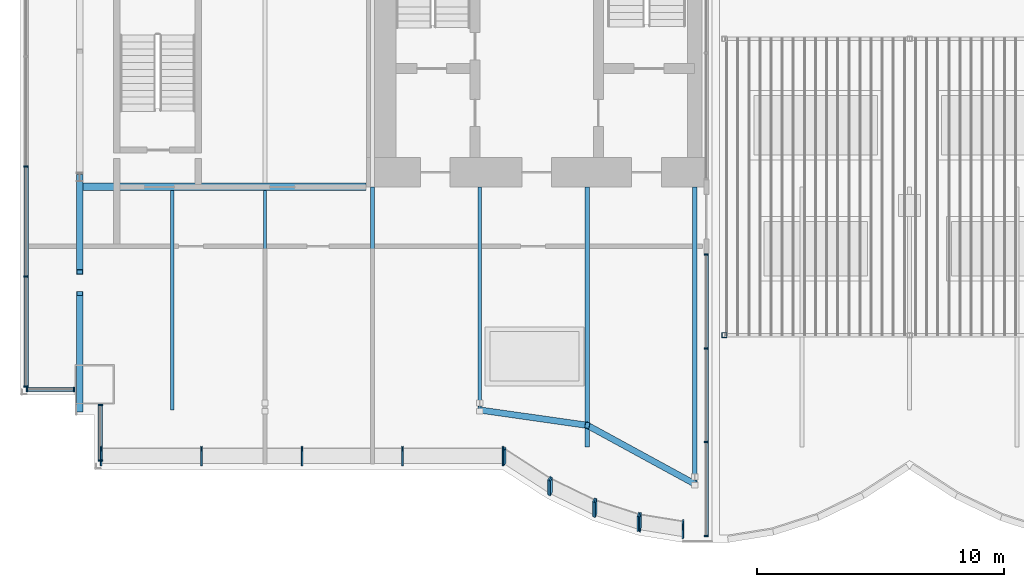
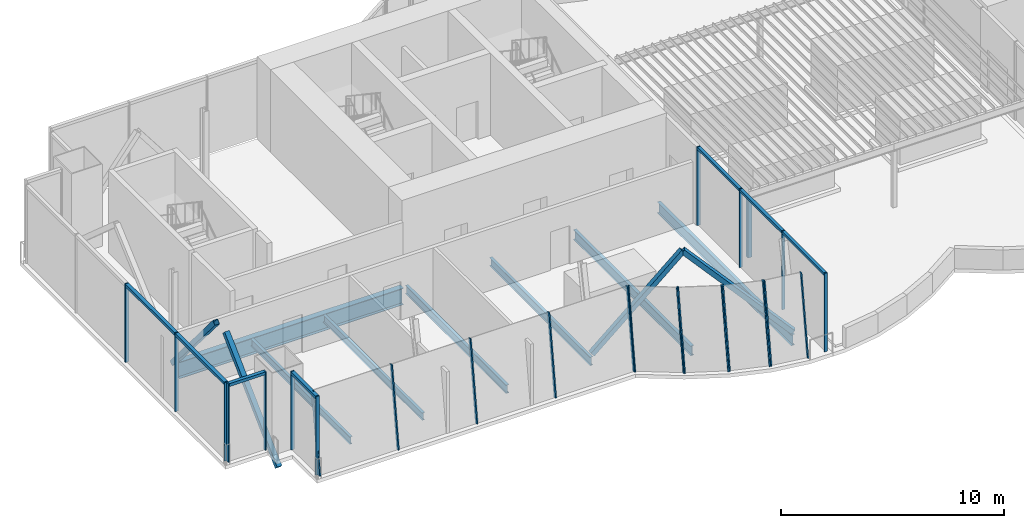
# One storey, part 3 of 18: 36 members, 7 beams, 10 elements without a shape of their own.
"""IFC4 building model written with IfcOpenShell, lengths in metres."""

from ifc_helpers import new_model, si_unit, direction, frame, origin, origin_2d, place, context, subcontext, project, spatial, rectangle, hollow_rectangle, i_section, extrude, material, material_profile, profile_set, type_object, element, aggregate, save


model = new_model("IFC4")

# Units and contexts
model_context = context("Model", 3, precision=1e-05, world=origin(), true_north=direction((0.0, 1.0)))
body_context = subcontext(model_context, "Body", "Model", "MODEL_VIEW")
ifc_project = project(units=[si_unit("LENGTHUNIT", "METRE"), si_unit("AREAUNIT", "SQUARE_METRE"), si_unit("VOLUMEUNIT", "CUBIC_METRE"), si_unit("PLANEANGLEUNIT", "RADIAN"), si_unit("MASSUNIT", "GRAM", prefix="KILO")], contexts=[model_context])

# Site, building, storey
site_placement = place(None, origin())
site = spatial("IfcSite", under=ifc_project, at=site_placement, CompositionType="ELEMENT")
building_placement = place(site_placement, origin())
building = spatial("IfcBuilding", under=site, at=building_placement, Name="Bicima Exchange Tower", CompositionType="ELEMENT")
storey_placement = place(building_placement, frame((0.0, 0.0, 347.89990234375)))
storey = spatial("IfcBuildingStorey", under=building, at=storey_placement, Name="L78", CompositionType="ELEMENT", Elevation=347.89990234375)

# Beam
ifc_material_1 = material(Name="Steel ASTM A992 Gr 50", Category="steel")
ifc_material_profile_1 = material_profile(ifc_material_1, i_section(OverallWidth=0.3046875, OverallDepth=0.911865234375, WebThickness=0.015869140625, FlangeThickness=0.02392578125, at=origin_2d()))
ifc_profile_set_1 = profile_set([ifc_material_profile_1], Name="Steel ASTM A992 Gr 50")
beam_type_1 = type_object("IfcBeamType", Name="Core-line girder W36x150", PredefinedType="BEAM", material=ifc_profile_set_1)
beam_1_placement = place(storey_placement, frame((-22.0, -13.0, -0.65576171875), z_axis=(-1.0, 0.0, 0.0), x_axis=(0.0, -1.0, 0.0)))
element("IfcBeam", 1, at=beam_1_placement, inside=storey, type_object=beam_type_1, Name="Core-line girder", PredefinedType="BEAM", context=body_context, shape_type="SweptSolid", body=[
    extrude(i_section(OverallWidth=0.3046875, OverallDepth=0.911865234375, WebThickness=0.015869140625, FlangeThickness=0.02392578125, at=origin_2d()), origin(), (0.0, 0.0, 1.0), 11.60009765625),
])

# Curtain wall, members
ifc_material_2 = material(Name="Anodised bronze aluminium", Category="aluminium")
curtain_wall_type_1 = type_object("IfcCurtainWallType", Name="Crown glass wall", PredefinedType="NOTDEFINED", material=ifc_material_2)
curtain_wall_1_placement = place(storey_placement, origin())
curtain_wall_1 = element("IfcCurtainWall", 2, at=curtain_wall_1_placement, inside=storey, type_object=curtain_wall_type_1, Name="Crown glass wall L78 run 11", PredefinedType="NOTDEFINED")
ifc_material_profile_2 = material_profile(ifc_material_2, rectangle(XDim=0.179931640625, YDim=0.06005859375, at=origin_2d()))
ifc_profile_set_2 = profile_set([ifc_material_profile_2], Name="Anodised bronze aluminium")
member_type_1 = type_object("IfcMemberType", Name="Crown glass wall mullion 60 x 180", PredefinedType="MULLION", material=ifc_profile_set_2)
member_1_placement = place(storey_placement, frame((-35.77001953125, -12.1708984375, 0.0), z_axis=(0.0, 0.0, 1.0), x_axis=(1.0, 0.0, 0.0)))
member_1 = element("IfcMember", 3, at=member_1_placement, type_object=member_type_1, Name="Crown glass wall mullion 3", PredefinedType="MULLION", context=body_context, shape_type="SweptSolid", body=[
    extrude(rectangle(XDim=0.179931640625, YDim=0.06005859375, at=origin_2d()), origin(), (0.0, 0.0, 1.0), 4.300048828125),
])
member_2_placement = place(storey_placement, frame((-35.77001953125, -16.62646484375, 0.0), z_axis=(0.0, 0.0, 1.0), x_axis=(1.0, 0.0, 0.0)))
member_2 = element("IfcMember", 4, at=member_2_placement, type_object=member_type_1, Name="Crown glass wall mullion 4", PredefinedType="MULLION", context=body_context, shape_type="SweptSolid", body=[
    extrude(rectangle(XDim=0.179931640625, YDim=0.06005859375, at=origin_2d()), origin(), (0.0, 0.0, 1.0), 4.300048828125),
])
member_3_placement = place(storey_placement, frame((-35.77001953125, -21.08203125, 0.0), z_axis=(0.0, 0.0, 1.0), x_axis=(1.0, 0.0, 0.0)))
member_3 = element("IfcMember", 5, at=member_3_placement, type_object=member_type_1, Name="Crown glass wall mullion 5", PredefinedType="MULLION", context=body_context, shape_type="SweptSolid", body=[
    extrude(rectangle(XDim=0.179931640625, YDim=0.06005859375, at=origin_2d()), origin(), (0.0, 0.0, 1.0), 4.300048828125),
])

curtain_wall_2_placement = place(storey_placement, origin())
curtain_wall_2 = element("IfcCurtainWall", 6, at=curtain_wall_2_placement, inside=storey, type_object=curtain_wall_type_1, Name="Crown glass wall L78 run 12", PredefinedType="NOTDEFINED")
member_4_placement = place(storey_placement, frame((-35.739990234375, -21.201904296875, 0.0), z_axis=(0.0, 0.0, 1.0), x_axis=(0.0, 1.0, 0.0)))
member_4 = element("IfcMember", 7, at=member_4_placement, type_object=member_type_1, Name="Crown glass wall mullion 1", PredefinedType="MULLION", context=body_context, shape_type="SweptSolid", body=[
    extrude(rectangle(XDim=0.179931640625, YDim=0.06005859375, at=origin_2d()), origin(), (0.0, 0.0, 1.0), 4.300048828125),
])
member_5_placement = place(storey_placement, frame((-33.830078125, -21.201904296875, 0.0), z_axis=(0.0, 0.0, 1.0), x_axis=(0.0, 1.0, 0.0)))
member_5 = element("IfcMember", 8, at=member_5_placement, type_object=member_type_1, Name="Crown glass wall mullion 2", PredefinedType="MULLION", context=body_context, shape_type="SweptSolid", body=[
    extrude(rectangle(XDim=0.179931640625, YDim=0.06005859375, at=origin_2d()), origin(), (0.0, 0.0, 1.0), 4.300048828125),
])

curtain_wall_3_placement = place(storey_placement, origin())
curtain_wall_3 = element("IfcCurtainWall", 9, at=curtain_wall_3_placement, inside=storey, type_object=curtain_wall_type_1, Name="Crown glass wall L78 run 13", PredefinedType="NOTDEFINED")
member_6_placement = place(storey_placement, frame((-32.77001953125, -21.82373046875, 0.0), z_axis=(0.0, 0.0, 1.0), x_axis=(1.0, 0.0, 0.0)))
member_6 = element("IfcMember", 10, at=member_6_placement, type_object=member_type_1, Name="Crown glass wall mullion 1", PredefinedType="MULLION", context=body_context, shape_type="SweptSolid", body=[
    extrude(rectangle(XDim=0.179931640625, YDim=0.06005859375, at=origin_2d()), origin(), (0.0, 0.0, 1.0), 4.300048828125),
])
member_7_placement = place(storey_placement, frame((-32.77001953125, -24.08203125, 0.0), z_axis=(0.0, 0.0, 1.0), x_axis=(1.0, 0.0, 0.0)))
member_7 = element("IfcMember", 11, at=member_7_placement, type_object=member_type_1, Name="Crown glass wall mullion 2", PredefinedType="MULLION", context=body_context, shape_type="SweptSolid", body=[
    extrude(rectangle(XDim=0.179931640625, YDim=0.06005859375, at=origin_2d()), origin(), (0.0, 0.0, 1.0), 4.300048828125),
])

curtain_wall_4_placement = place(storey_placement, origin())
curtain_wall_4 = element("IfcCurtainWall", 12, at=curtain_wall_4_placement, inside=storey, type_object=curtain_wall_type_1, Name="Crown tilted glass L78 14.1", PredefinedType="NOTDEFINED")
member_8_placement = place(storey_placement, frame((-32.739990234375, -24.201904296875, 0.0), z_axis=(0.0, 0.139154039626, 0.99027074745), x_axis=(0.0, -0.99027074745, 0.139154039626)))
member_8 = element("IfcMember", 13, at=member_8_placement, type_object=member_type_1, Name="Crown tilted mullion 1", PredefinedType="MULLION", context=body_context, shape_type="SweptSolid", body=[
    extrude(rectangle(XDim=0.179931640625, YDim=0.06005859375, at=origin_2d()), origin(), (0.0, 0.0, 1.0), 4.34228515625),
])
member_9_placement = place(storey_placement, frame((-28.67041015625, -24.201904296875, 0.0), z_axis=(0.0, 0.139154039626, 0.99027074745), x_axis=(0.0, -0.99027074745, 0.139154039626)))
member_9 = element("IfcMember", 14, at=member_9_placement, type_object=member_type_1, Name="Crown tilted mullion 2", PredefinedType="MULLION", context=body_context, shape_type="SweptSolid", body=[
    extrude(rectangle(XDim=0.179931640625, YDim=0.06005859375, at=origin_2d()), origin(), (0.0, 0.0, 1.0), 4.34228515625),
])
member_10_placement = place(storey_placement, frame((-24.60107421875, -24.201904296875, 0.0), z_axis=(0.0, 0.139154039626, 0.99027074745), x_axis=(0.0, -0.99027074745, 0.139154039626)))
member_10 = element("IfcMember", 15, at=member_10_placement, type_object=member_type_1, Name="Crown tilted mullion 3", PredefinedType="MULLION", context=body_context, shape_type="SweptSolid", body=[
    extrude(rectangle(XDim=0.179931640625, YDim=0.06005859375, at=origin_2d()), origin(), (0.0, 0.0, 1.0), 4.34228515625),
])
member_11_placement = place(storey_placement, frame((-20.531494140625, -24.201904296875, 0.0), z_axis=(0.0, 0.139154039626, 0.99027074745), x_axis=(0.0, -0.99027074745, 0.139154039626)))
member_11 = element("IfcMember", 16, at=member_11_placement, type_object=member_type_1, Name="Crown tilted mullion 4", PredefinedType="MULLION", context=body_context, shape_type="SweptSolid", body=[
    extrude(rectangle(XDim=0.179931640625, YDim=0.06005859375, at=origin_2d()), origin(), (0.0, 0.0, 1.0), 4.34228515625),
])
member_12_placement = place(storey_placement, frame((-16.462158203125, -24.201904296875, 0.0), z_axis=(0.0, 0.139154039626, 0.99027074745), x_axis=(0.0, -0.99027074745, 0.139154039626)))
member_12 = element("IfcMember", 17, at=member_12_placement, type_object=member_type_1, Name="Crown tilted mullion 5", PredefinedType="MULLION", context=body_context, shape_type="SweptSolid", body=[
    extrude(rectangle(XDim=0.179931640625, YDim=0.06005859375, at=origin_2d()), origin(), (0.0, 0.0, 1.0), 4.34228515625),
])
aggregate(curtain_wall_4, [member_8, member_9, member_10, member_11, member_12])

curtain_wall_5_placement = place(storey_placement, origin())
curtain_wall_5 = element("IfcCurtainWall", 18, at=curtain_wall_5_placement, inside=storey, type_object=curtain_wall_type_1, Name="Crown tilted glass L78 15.1", PredefinedType="NOTDEFINED")
member_13_placement = place(storey_placement, frame((-16.406982421875, -24.21826171875, 0.0), z_axis=(0.0, 0.139154039626, 0.99027074745), x_axis=(-0.542910648791, -0.831619932848, 0.116860235837)))
member_13 = element("IfcMember", 19, at=member_13_placement, type_object=member_type_1, Name="Crown tilted mullion 1", PredefinedType="MULLION", context=body_context, shape_type="SweptSolid", body=[
    extrude(rectangle(XDim=0.179931640625, YDim=0.06005859375, at=origin_2d()), origin(), (0.0, 0.0, 1.0), 4.34228515625),
])
member_14_placement = place(storey_placement, frame((-14.578857421875, -25.400146484375, 0.0), z_axis=(0.0, 0.139154039626, 0.99027074745), x_axis=(-0.542910648791, -0.831619932848, 0.116860235837)))
member_14 = element("IfcMember", 20, at=member_14_placement, type_object=member_type_1, Name="Crown tilted mullion 2", PredefinedType="MULLION", context=body_context, shape_type="SweptSolid", body=[
    extrude(rectangle(XDim=0.179931640625, YDim=0.06005859375, at=origin_2d()), origin(), (0.0, 0.0, 1.0), 4.34228515625),
])
aggregate(curtain_wall_5, [member_13, member_14])

curtain_wall_6_placement = place(storey_placement, origin())
curtain_wall_6 = element("IfcCurtainWall", 21, at=curtain_wall_6_placement, inside=storey, type_object=curtain_wall_type_1, Name="Crown tilted glass L78 16.1", PredefinedType="NOTDEFINED")
member_15_placement = place(storey_placement, frame((-14.526611328125, -25.429443359375, 0.0), z_axis=(0.0, 0.139154039626, 0.99027074745), x_axis=(-0.436264762204, -0.891063786867, 0.125213357889)))
member_15 = element("IfcMember", 22, at=member_15_placement, type_object=member_type_1, Name="Crown tilted mullion 1", PredefinedType="MULLION", context=body_context, shape_type="SweptSolid", body=[
    extrude(rectangle(XDim=0.179931640625, YDim=0.06005859375, at=origin_2d()), origin(), (0.0, 0.0, 1.0), 4.34228515625),
])
member_16_placement = place(storey_placement, frame((-12.7744140625, -26.279052734375, 0.0), z_axis=(0.0, 0.139154039626, 0.99027074745), x_axis=(-0.436264762204, -0.891063786867, 0.125213357889)))
member_16 = element("IfcMember", 23, at=member_16_placement, type_object=member_type_1, Name="Crown tilted mullion 2", PredefinedType="MULLION", context=body_context, shape_type="SweptSolid", body=[
    extrude(rectangle(XDim=0.179931640625, YDim=0.06005859375, at=origin_2d()), origin(), (0.0, 0.0, 1.0), 4.34228515625),
])
aggregate(curtain_wall_6, [member_15, member_16])

curtain_wall_7_placement = place(storey_placement, origin())
curtain_wall_7 = element("IfcCurtainWall", 24, at=curtain_wall_7_placement, inside=storey, type_object=curtain_wall_type_1, Name="Crown tilted glass L78 17.1", PredefinedType="NOTDEFINED")
member_17_placement = place(storey_placement, frame((-12.71875, -26.301513671875, 0.0), z_axis=(0.0, 0.139209174124, 0.990262998319), x_axis=(-0.307572519808, -0.942259645339, 0.132460959624)))
member_17 = element("IfcMember", 25, at=member_17_placement, type_object=member_type_1, Name="Crown tilted mullion 1", PredefinedType="MULLION", context=body_context, shape_type="SweptSolid", body=[
    extrude(rectangle(XDim=0.179931640625, YDim=0.06005859375, at=origin_2d()), origin(), (0.0, 0.0, 1.0), 4.34228515625),
])
member_18_placement = place(storey_placement, frame((-10.974609375, -26.865234375, 0.0), z_axis=(0.0, 0.139154039626, 0.99027074745), x_axis=(-0.307572519808, -0.942267018828, 0.132408497791)))
member_18 = element("IfcMember", 26, at=member_18_placement, type_object=member_type_1, Name="Crown tilted mullion 2", PredefinedType="MULLION", context=body_context, shape_type="SweptSolid", body=[
    extrude(rectangle(XDim=0.179931640625, YDim=0.06005859375, at=origin_2d()), origin(), (0.0, 0.0, 1.0), 4.34228515625),
])
aggregate(curtain_wall_7, [member_17, member_18])

curtain_wall_8_placement = place(storey_placement, origin())
curtain_wall_8 = element("IfcCurtainWall", 27, at=curtain_wall_8_placement, inside=storey, type_object=curtain_wall_type_1, Name="Crown tilted glass L78 18.1", PredefinedType="NOTDEFINED")
member_19_placement = place(storey_placement, frame((-10.91650390625, -26.879150390625, 0.0), z_axis=(0.0, 0.139154039626, 0.99027074745), x_axis=(-0.159550386184, -0.977585167601, 0.137371446648)))
member_19 = element("IfcMember", 28, at=member_19_placement, type_object=member_type_1, Name="Crown tilted mullion 1", PredefinedType="MULLION", context=body_context, shape_type="SweptSolid", body=[
    extrude(rectangle(XDim=0.179931640625, YDim=0.06005859375, at=origin_2d()), origin(), (0.0, 0.0, 1.0), 4.34228515625),
])
member_20_placement = place(storey_placement, frame((-9.177734375, -27.16015625, 0.0), z_axis=(0.0, 0.139154039626, 0.99027074745), x_axis=(-0.159550386184, -0.977585167601, 0.137371446648)))
member_20 = element("IfcMember", 29, at=member_20_placement, type_object=member_type_1, Name="Crown tilted mullion 2", PredefinedType="MULLION", context=body_context, shape_type="SweptSolid", body=[
    extrude(rectangle(XDim=0.179931640625, YDim=0.06005859375, at=origin_2d()), origin(), (0.0, 0.0, 1.0), 4.34228515625),
])
aggregate(curtain_wall_8, [member_19, member_20])

# Member
ifc_material_profile_3 = material_profile(ifc_material_2, rectangle(XDim=0.179931640625, YDim=0.159912109375, at=origin_2d()))
ifc_profile_set_3 = profile_set([ifc_material_profile_3], Name="Anodised bronze aluminium")
member_type_2 = type_object("IfcMemberType", Name="Crown glass wall transom 160 x 180", PredefinedType="USERDEFINED", material=ifc_profile_set_3)
member_21_placement = place(storey_placement, frame((-35.77001953125, -12.200927734375, 4.22021484375), z_axis=(0.0, -1.0, 0.0), x_axis=(1.0, 0.0, 0.0)))
member_21 = element("IfcMember", 30, at=member_21_placement, type_object=member_type_2, Name="Crown glass wall transom 3.1", ObjectType="TRANSOM", PredefinedType="USERDEFINED", context=body_context, shape_type="SweptSolid", body=[
    extrude(rectangle(XDim=0.179931640625, YDim=0.159912109375, at=origin_2d()), origin(), (0.0, 0.0, 1.0), 4.3955078125),
])

member_22_placement = place(storey_placement, frame((-35.77001953125, -16.656494140625, 4.22021484375), z_axis=(0.0, -1.0, 0.0), x_axis=(1.0, 0.0, 0.0)))
member_22 = element("IfcMember", 31, at=member_22_placement, type_object=member_type_2, Name="Crown glass wall transom 4.1", ObjectType="TRANSOM", PredefinedType="USERDEFINED", context=body_context, shape_type="SweptSolid", body=[
    extrude(rectangle(XDim=0.179931640625, YDim=0.159912109375, at=origin_2d()), origin(), (0.0, 0.0, 1.0), 4.3955078125),
])

aggregate(curtain_wall_1, [member_1, member_2, member_3, member_21, member_22])

member_23_placement = place(storey_placement, frame((-35.7099609375, -21.201904296875, 4.22021484375), z_axis=(1.0, 0.0, 0.0), x_axis=(0.0, 1.0, 0.0)))
member_23 = element("IfcMember", 32, at=member_23_placement, type_object=member_type_2, Name="Crown glass wall transom 1.1", ObjectType="TRANSOM", PredefinedType="USERDEFINED", context=body_context, shape_type="SweptSolid", body=[
    extrude(rectangle(XDim=0.179931640625, YDim=0.159912109375, at=origin_2d()), origin(), (0.0, 0.0, 1.0), 1.849853515625),
])

aggregate(curtain_wall_2, [member_4, member_5, member_23])

member_24_placement = place(storey_placement, frame((-32.77001953125, -21.853759765625, 4.22021484375), z_axis=(0.0, -1.0, 0.0), x_axis=(1.0, 0.0, 0.0)))
member_24 = element("IfcMember", 33, at=member_24_placement, type_object=member_type_2, Name="Crown glass wall transom 1.1", ObjectType="TRANSOM", PredefinedType="USERDEFINED", context=body_context, shape_type="SweptSolid", body=[
    extrude(rectangle(XDim=0.179931640625, YDim=0.159912109375, at=origin_2d()), origin(), (0.0, 0.0, 1.0), 2.1982421875),
])

aggregate(curtain_wall_3, [member_6, member_7, member_24])

# Curtain wall, members
curtain_wall_type_2 = type_object("IfcCurtainWallType", Name="End face glass wall", PredefinedType="NOTDEFINED", material=ifc_material_2)
curtain_wall_9_placement = place(storey_placement, origin())
curtain_wall_9 = element("IfcCurtainWall", 34, at=curtain_wall_9_placement, inside=storey, type_object=curtain_wall_type_2, Name="End face glass wall L78 run 1.1", PredefinedType="NOTDEFINED")
ifc_material_profile_4 = material_profile(ifc_material_2, rectangle(XDim=0.159912109375, YDim=0.06005859375, at=origin_2d()))
ifc_profile_set_4 = profile_set([ifc_material_profile_4], Name="Anodised bronze aluminium")
member_type_3 = type_object("IfcMemberType", Name="End face glass wall mullion 60 x 160", PredefinedType="MULLION", material=ifc_profile_set_4)
member_25_placement = place(storey_placement, frame((-8.22998046875, -27.135009765625, 0.0), z_axis=(0.0, 0.0, 1.0), x_axis=(-1.0, 0.0, 0.0)))
member_25 = element("IfcMember", 35, at=member_25_placement, type_object=member_type_3, Name="End face glass wall mullion 1", PredefinedType="MULLION", context=body_context, shape_type="SweptSolid", body=[
    extrude(rectangle(XDim=0.159912109375, YDim=0.06005859375, at=origin_2d()), origin(), (0.0, 0.0, 1.0), 4.300048828125),
])
member_26_placement = place(storey_placement, frame((-8.22998046875, -23.333251953125, 0.0), z_axis=(0.0, 0.0, 1.0), x_axis=(-1.0, 0.0, 0.0)))
member_26 = element("IfcMember", 36, at=member_26_placement, type_object=member_type_3, Name="End face glass wall mullion 2", PredefinedType="MULLION", context=body_context, shape_type="SweptSolid", body=[
    extrude(rectangle(XDim=0.159912109375, YDim=0.06005859375, at=origin_2d()), origin(), (0.0, 0.0, 1.0), 4.300048828125),
])
member_27_placement = place(storey_placement, frame((-8.22998046875, -19.53173828125, 0.0), z_axis=(0.0, 0.0, 1.0), x_axis=(-1.0, 0.0, 0.0)))
member_27 = element("IfcMember", 37, at=member_27_placement, type_object=member_type_3, Name="End face glass wall mullion 3", PredefinedType="MULLION", context=body_context, shape_type="SweptSolid", body=[
    extrude(rectangle(XDim=0.159912109375, YDim=0.06005859375, at=origin_2d()), origin(), (0.0, 0.0, 1.0), 4.300048828125),
])
member_28_placement = place(storey_placement, frame((-8.22998046875, -15.72998046875, 0.0), z_axis=(0.0, 0.0, 1.0), x_axis=(-1.0, 0.0, 0.0)))
member_28 = element("IfcMember", 38, at=member_28_placement, type_object=member_type_3, Name="End face glass wall mullion 4", PredefinedType="MULLION", context=body_context, shape_type="SweptSolid", body=[
    extrude(rectangle(XDim=0.159912109375, YDim=0.06005859375, at=origin_2d()), origin(), (0.0, 0.0, 1.0), 4.300048828125),
])
ifc_material_profile_5 = material_profile(ifc_material_2, rectangle(XDim=0.159912109375, YDim=0.139892578125, at=origin_2d()))
ifc_profile_set_5 = profile_set([ifc_material_profile_5], Name="Anodised bronze aluminium")
member_type_4 = type_object("IfcMemberType", Name="End face glass wall transom 140 x 160", PredefinedType="USERDEFINED", material=ifc_profile_set_5)
member_29_placement = place(storey_placement, frame((-8.22998046875, -27.10498046875, 4.22998046875), z_axis=(0.0, 1.0, 0.0), x_axis=(-1.0, 0.0, 0.0)))
member_29 = element("IfcMember", 39, at=member_29_placement, type_object=member_type_4, Name="End face glass wall transom 1.1", ObjectType="TRANSOM", PredefinedType="USERDEFINED", context=body_context, shape_type="SweptSolid", body=[
    extrude(rectangle(XDim=0.159912109375, YDim=0.139892578125, at=origin_2d()), origin(), (0.0, 0.0, 1.0), 3.74169921875),
])
member_30_placement = place(storey_placement, frame((-8.22998046875, -23.30322265625, 4.22998046875), z_axis=(0.0, 1.0, 0.0), x_axis=(-1.0, 0.0, 0.0)))
member_30 = element("IfcMember", 40, at=member_30_placement, type_object=member_type_4, Name="End face glass wall transom 2.1", ObjectType="TRANSOM", PredefinedType="USERDEFINED", context=body_context, shape_type="SweptSolid", body=[
    extrude(rectangle(XDim=0.159912109375, YDim=0.139892578125, at=origin_2d()), origin(), (0.0, 0.0, 1.0), 3.741455078125),
])
member_31_placement = place(storey_placement, frame((-8.22998046875, -19.501708984375, 4.22998046875), z_axis=(0.0, 1.0, 0.0), x_axis=(-1.0, 0.0, 0.0)))
member_31 = element("IfcMember", 41, at=member_31_placement, type_object=member_type_4, Name="End face glass wall transom 3.1", ObjectType="TRANSOM", PredefinedType="USERDEFINED", context=body_context, shape_type="SweptSolid", body=[
    extrude(rectangle(XDim=0.159912109375, YDim=0.139892578125, at=origin_2d()), origin(), (0.0, 0.0, 1.0), 3.74169921875),
])
aggregate(curtain_wall_9, [member_25, member_26, member_27, member_28, member_29, member_30, member_31])

# Beams
ifc_material_profile_6 = material_profile(ifc_material_1, i_section(OverallWidth=0.140380859375, OverallDepth=0.40380859375, WebThickness=0.007080078125, FlangeThickness=0.01123046875, at=origin_2d()))
ifc_profile_set_6 = profile_set([ifc_material_profile_6], Name="Steel ASTM A992 Gr 50")
beam_type_2 = type_object("IfcBeamType", Name="Floor beam W16x31", PredefinedType="JOIST", material=ifc_profile_set_6)
for number, where, z_axis, x_axis, name in (
    (42, (-29.85009765625, -13.15234375, -0.40185546875), (0.0, -1.0, 0.0), (1.0, 0.0, 0.0), "Floor beam"),
    (43, (-26.10009765625, -13.15234375, -0.40185546875), (0.0, -1.0, 0.0), (1.0, 0.0, 0.0), "Floor beam"),
):
    element("IfcBeam", number, at=place(storey_placement, frame(where, z_axis=z_axis, x_axis=x_axis)), inside=storey, type_object=beam_type_2, Name=name, PredefinedType="JOIST", context=body_context, shape_type="SweptSolid", body=[
        extrude(i_section(OverallWidth=0.140380859375, OverallDepth=0.40380859375, WebThickness=0.007080078125, FlangeThickness=0.01123046875, at=origin_2d()), origin(), (0.0, 0.0, 1.0), 8.879638671875),
    ])
ifc_material_profile_7 = material_profile(ifc_material_1, i_section(OverallWidth=0.15283203125, OverallDepth=0.45458984375, WebThickness=0.008056640625, FlangeThickness=0.013427734375, at=origin_2d()))
ifc_profile_set_7 = profile_set([ifc_material_profile_7], Name="Steel ASTM A992 Gr 50")
beam_type_3 = type_object("IfcBeamType", Name="Floor beam W18x40", PredefinedType="JOIST", material=ifc_profile_set_7)
for number, where, z_axis, x_axis, name in (
    (44, (-21.75, -13.0, -0.42724609375), (0.0, -1.0, 0.0), (1.0, 0.0, 0.0), "Floor beam"),
    (45, (-17.39990234375, -13.0, -0.42724609375), (0.0, -1.0, 0.0), (1.0, 0.0, 0.0), "Floor beam"),
):
    element("IfcBeam", number, at=place(storey_placement, frame(where, z_axis=z_axis, x_axis=x_axis)), inside=storey, type_object=beam_type_3, Name=name, PredefinedType="JOIST", context=body_context, shape_type="SweptSolid", body=[
        extrude(i_section(OverallWidth=0.15283203125, OverallDepth=0.45458984375, WebThickness=0.008056640625, FlangeThickness=0.013427734375, at=origin_2d()), origin(), (0.0, 0.0, 1.0), 9.031982421875),
    ])
ifc_material_profile_8 = material_profile(ifc_material_1, i_section(OverallWidth=0.165771484375, OverallDepth=0.5283203125, WebThickness=0.009765625, FlangeThickness=0.013671875, at=origin_2d()))
ifc_profile_set_8 = profile_set([ifc_material_profile_8], Name="Steel ASTM A992 Gr 50")
beam_type_4 = type_object("IfcBeamType", Name="Floor beam W21x50", PredefinedType="JOIST", material=ifc_profile_set_8)
beam_2_placement = place(storey_placement, frame((-13.050048828125, -13.0, -0.464111328125), z_axis=(0.0, -1.0, 0.0), x_axis=(1.0, 0.0, 0.0)))
element("IfcBeam", 46, at=beam_2_placement, inside=storey, type_object=beam_type_4, Name="Floor beam", PredefinedType="JOIST", context=body_context, shape_type="SweptSolid", body=[
    extrude(i_section(OverallWidth=0.165771484375, OverallDepth=0.5283203125, WebThickness=0.009765625, FlangeThickness=0.013671875, at=origin_2d()), origin(), (0.0, 0.0, 1.0), 10.527587890625),
])
ifc_material_profile_9 = material_profile(ifc_material_1, i_section(OverallWidth=0.177978515625, OverallDepth=0.599365234375, WebThickness=0.010009765625, FlangeThickness=0.012939453125, at=origin_2d()))
ifc_profile_set_9 = profile_set([ifc_material_profile_9], Name="Steel ASTM A992 Gr 50")
beam_type_5 = type_object("IfcBeamType", Name="Floor beam W24x55", PredefinedType="JOIST", material=ifc_profile_set_9)
beam_3_placement = place(storey_placement, frame((-8.699951171875, -13.0, -0.49951171875), z_axis=(0.0, -1.0, 0.0), x_axis=(1.0, 0.0, 0.0)))
element("IfcBeam", 47, at=beam_3_placement, inside=storey, type_object=beam_type_5, Name="Floor beam", PredefinedType="JOIST", context=body_context, shape_type="SweptSolid", body=[
    extrude(i_section(OverallWidth=0.177978515625, OverallDepth=0.599365234375, WebThickness=0.010009765625, FlangeThickness=0.012939453125, at=origin_2d()), origin(), (0.0, 0.0, 1.0), 12.023193359375),
])

# Curtain wall, member
curtain_wall_type_3 = type_object("IfcCurtainWallType", Name="Louvre screen", PredefinedType="NOTDEFINED", material=ifc_material_2)
curtain_wall_10_placement = place(storey_placement, origin())
curtain_wall_10 = element("IfcCurtainWall", 48, at=curtain_wall_10_placement, inside=storey, type_object=curtain_wall_type_3, Name="Slot roof louvre SCREEN", PredefinedType="NOTDEFINED")
ifc_material_3 = material(Name="Steel ASTM A572 Gr 50", Category="steel")
ifc_material_profile_10 = material_profile(ifc_material_3, hollow_rectangle(XDim=0.203125, YDim=0.203125, WallThickness=0.01171875, at=origin_2d()))
ifc_profile_set_10 = profile_set([ifc_material_profile_10], Name="Steel ASTM A572 Gr 50")
member_type_5 = type_object("IfcMemberType", Name="Louvre screen post HSS8x8x1/2", PredefinedType="USERDEFINED", material=ifc_profile_set_10)
member_32_placement = place(storey_placement, frame((-7.5, -19.0, 0.0), z_axis=(0.0, 0.0, 1.0), x_axis=(1.0, 0.0, 0.0)))
member_32 = element("IfcMember", 49, at=member_32_placement, type_object=member_type_5, Name="Louvre screen post", ObjectType="Louvre screen post", PredefinedType="USERDEFINED", context=body_context, shape_type="SweptSolid", body=[
    extrude(hollow_rectangle(XDim=0.203125, YDim=0.203125, WallThickness=0.01171875, at=origin_2d()), origin(), (0.0, 0.0, 1.0), 3.1962890625),
])
aggregate(curtain_wall_10, [member_32])

# Members
ifc_material_profile_11 = material_profile(ifc_material_3, hollow_rectangle(XDim=0.25390625, YDim=0.25390625, WallThickness=0.01171875, at=origin_2d()))
ifc_profile_set_11 = profile_set([ifc_material_profile_11], Name="Steel ASTM A572 Gr 50")
member_type_6 = type_object("IfcMemberType", Name="Mega brace HSS10x10x1/2", PredefinedType="BRACE", material=ifc_profile_set_11)
member_33_placement = place(storey_placement, frame((-17.39990234375, -22.031982421875, 0.0), z_axis=(0.691634023196, -0.09844440045, 0.715507566681), x_axis=(0.140915686076, 0.99002160048, 0.0)))
element("IfcMember", 50, at=member_33_placement, inside=storey, type_object=member_type_6, Name="Mega brace front", PredefinedType="BRACE", context=body_context, shape_type="SweptSolid", body=[
    extrude(hollow_rectangle(XDim=0.25390625, YDim=0.25390625, WallThickness=0.01171875, at=origin_2d()), origin(), (0.0, 0.0, 1.0), 6.289306640625),
])
member_34_placement = place(storey_placement, frame((-8.699951171875, -25.023193359375, 0.0), z_axis=(-0.649919659178, 0.354395521864, 0.672315588616), x_axis=(-0.478741653743, -0.877955824043, 0.0)))
element("IfcMember", 51, at=member_34_placement, inside=storey, type_object=member_type_6, Name="Mega brace front", PredefinedType="BRACE", context=body_context, shape_type="SweptSolid", body=[
    extrude(hollow_rectangle(XDim=0.25390625, YDim=0.25390625, WallThickness=0.01171875, at=origin_2d()), origin(), (0.0, 0.0, 1.0), 6.693359375),
])
member_35_placement = place(storey_placement, frame((-33.60009765625, -12.60009765625, -0.546630859375), z_axis=(0.0, -0.645708467618, 0.763584032603), x_axis=(1.0, 0.0, 0.0)))
element("IfcMember", 52, at=member_35_placement, inside=storey, type_object=member_type_6, Name="Mega brace west end", PredefinedType="BRACE", context=body_context, shape_type="SweptSolid", body=[
    extrude(hollow_rectangle(XDim=0.25390625, YDim=0.25390625, WallThickness=0.01171875, at=origin_2d()), origin(), (0.0, 0.0, 1.0), 5.9462890625),
])
member_36_placement = place(storey_placement, frame((-33.60009765625, -22.031982421875, -0.546630859375), z_axis=(0.0, 0.720386461462, 0.69357288452), x_axis=(-1.0, 0.0, 0.0)))
element("IfcMember", 53, at=member_36_placement, inside=storey, type_object=member_type_6, Name="Mega brace west end", PredefinedType="BRACE", context=body_context, shape_type="SweptSolid", body=[
    extrude(hollow_rectangle(XDim=0.25390625, YDim=0.25390625, WallThickness=0.01171875, at=origin_2d()), origin(), (0.0, 0.0, 1.0), 6.546630859375),
])

save(model, "model.ifc")
